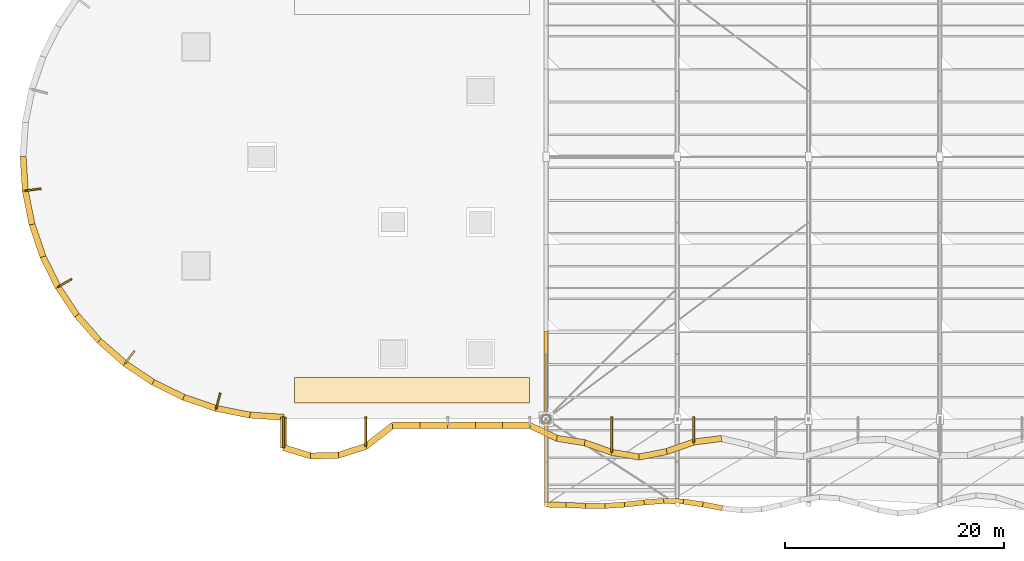
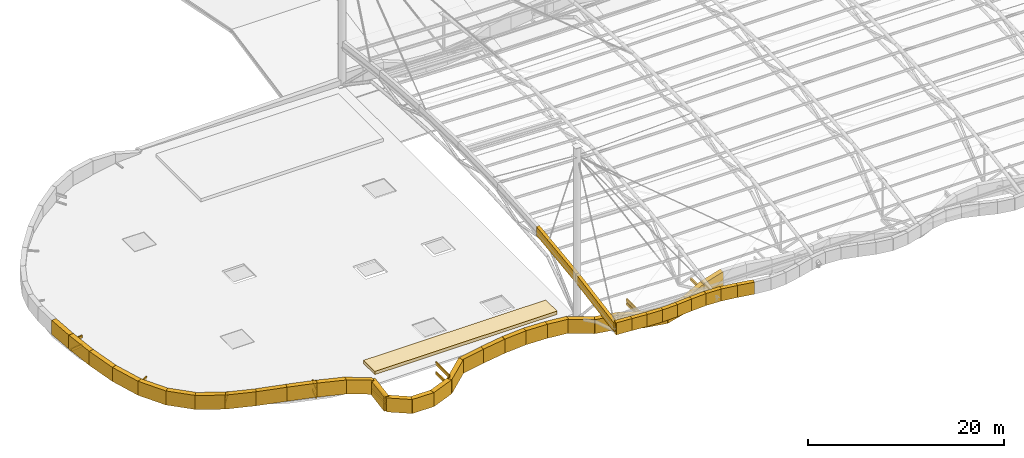
# One storey, part 23 of 29: 54 coverings.
"""IFC4 building model written with IfcOpenShell, lengths in metres."""

from ifc_helpers import new_model, si_unit, direction, frame, frame_2d, origin, place, context, subcontext, project, spatial, polyline, rectangle, outline, extrude, material, layer, layer_set, type_object, element, save


model = new_model("IFC4")

# Units and contexts
model_context = context("Model", 3, precision=1e-05, world=origin(), true_north=direction((0.0, 1.0)))
body_context = subcontext(model_context, "Body", "Model", "MODEL_VIEW")
ifc_project = project(units=[si_unit("LENGTHUNIT", "METRE"), si_unit("AREAUNIT", "SQUARE_METRE"), si_unit("VOLUMEUNIT", "CUBIC_METRE"), si_unit("PLANEANGLEUNIT", "RADIAN"), si_unit("MASSUNIT", "GRAM", prefix="KILO")], contexts=[model_context])

# Site, building, storey
site_placement = place(None, origin())
site = spatial("IfcSite", under=ifc_project, at=site_placement, CompositionType="ELEMENT")
building_placement = place(site_placement, origin())
building = spatial("IfcBuilding", under=site, at=building_placement, Name="Keelwater Ferry Terminal", CompositionType="ELEMENT")
storey_placement = place(building_placement, frame((0.0, 0.0, 27.89990234375)))
storey = spatial("IfcBuildingStorey", under=building, at=storey_placement, Name="RF", CompositionType="ELEMENT", Elevation=27.89990234375)

# Coverings
ifc_material_1 = material(Name="Planted sedum green roof substrate", Category="earth")
ifc_layer_1 = layer(ifc_material_1, 0.39990234375)
ifc_layer_set_1 = layer_set([ifc_layer_1], Name="Planted sedum green roof substrate")
covering_type_1 = type_object("IfcCoveringType", Name="GR-BED Planted Green Roof Bed", PredefinedType="ROOFING", material=ifc_layer_set_1)
covering_1_placement = place(storey_placement, frame((0.0, 0.0, -12.89990234375)))
element("IfcCovering", 1, at=covering_1_placement, inside=storey, type_object=covering_type_1, Name="Planted Green Roof Bed 1", PredefinedType="ROOFING", context=body_context, shape_type="SweptSolid", body=[
    extrude(outline(polyline([(25.0, 43.5), (46.5, 43.5), (46.5, 45.800048828125), (25.0, 45.800048828125), (25.0, 43.5)])), origin(), (0.0, 0.0, 1.0), 0.39990234375),
])
ifc_material_2 = material(Name="Matte white architectural aluminium fascia ribbon", Category="aluminium")
ifc_layer_2 = layer(ifc_material_2, 0.1201171875)
ifc_layer_set_2 = layer_set([ifc_layer_2], Name="Matte white architectural aluminium fascia ribbon")
covering_type_2 = type_object("IfcCoveringType", Name="RB-WHT Matte White Fascia Ribbon", PredefinedType="CLADDING", material=ifc_layer_set_2)
covering_2_placement = place(storey_placement, frame((0.177978515625, 66.02490234375, -12.726806640625), z_axis=(0.0, 0.0, 1.0), x_axis=(0.065705147067, -0.997839082041, 0.0)))
element("IfcCovering", 2, at=covering_2_placement, inside=storey, type_object=covering_type_2, Name="Overhanging Roof-Edge Wave Fascia Ribbon 238", PredefinedType="CLADDING", context=body_context, shape_type="SweptSolid", body=[
    extrude(outline(polyline([(0.0, 0.0068359375), (3.165771484375, 0.0), (3.165771484375, 1.75), (0.0, 1.7568359375), (0.0, 0.0068359375)])), frame((0.0, 0.280029296875, 0.0), z_axis=(0.0, -1.0, 0.0), x_axis=(1.0, 0.0, 0.0)), (0.0, 0.0, 1.0), 0.56005859375),
])
covering_3_placement = place(storey_placement, frame((0.37890625, 62.916015625, -13.0888671875), z_axis=(0.0, 0.0, 1.0), x_axis=(0.195196875454, -0.98076407959, 0.0)))
element("IfcCovering", 3, at=covering_3_placement, inside=storey, type_object=covering_type_2, Name="Overhanging Roof-Edge Wave Fascia Ribbon 242", PredefinedType="CLADDING", context=body_context, shape_type="SweptSolid", body=[
    extrude(outline(polyline([(0.0, 0.362060546875), (3.1669921875, 0.0), (3.1669921875, 1.75), (0.0, 2.112060546875), (0.0, 0.362060546875)])), frame((0.0, 0.280029296875, 0.0), z_axis=(0.0, -1.0, 0.0), x_axis=(1.0, 0.0, 0.0)), (0.0, 0.0, 1.0), 0.56005859375),
])
covering_4_placement = place(storey_placement, frame((0.384033203125, 62.89111328125, -11.991943359375), z_axis=(0.0, 0.0, 1.0), x_axis=(0.991476053756, 0.130289043397, 0.0)))
element("IfcCovering", 4, at=covering_4_placement, inside=storey, type_object=covering_type_2, Name="Ribbon Horizontal Tie Bracket 245", PredefinedType="CLADDING", context=body_context, shape_type="SweptSolid", body=[
    extrude(rectangle(XDim=1.450439453125, YDim=0.159912109375, at=frame_2d((0.72509765625, 0.0))), origin(), (0.0, 0.0, 1.0), 0.280029296875),
])
covering_5_placement = place(storey_placement, frame((0.384033203125, 62.89111328125, -13.119873046875), z_axis=(0.0, 0.0, 1.0), x_axis=(0.991476053756, 0.130289043397, 0.0)))
element("IfcCovering", 5, at=covering_5_placement, inside=storey, type_object=covering_type_2, Name="Ribbon Roof Eave Tie Bracket 248", PredefinedType="CLADDING", context=body_context, shape_type="SweptSolid", body=[
    extrude(rectangle(XDim=1.450439453125, YDim=0.159912109375, at=frame_2d((0.72509765625, 0.0))), origin(), (0.0, 0.0, 1.0), 0.340087890625),
])
covering_6_placement = place(storey_placement, frame((0.98388671875, 59.85888671875, -13.643798828125), z_axis=(0.0, 0.0, 1.0), x_axis=(0.321196336342, -0.94701262585, 0.0)))
element("IfcCovering", 6, at=covering_6_placement, inside=storey, type_object=covering_type_2, Name="Overhanging Roof-Edge Wave Fascia Ribbon 253", PredefinedType="CLADDING", context=body_context, shape_type="SweptSolid", body=[
    extrude(outline(polyline([(0.0, 0.554931640625), (3.16650390625, 0.0), (3.16650390625, 1.75), (0.0, 2.304931640625), (0.0, 0.554931640625)])), frame((0.0, 0.280029296875, 0.0), z_axis=(0.0, -1.0, 0.0), x_axis=(1.0, 0.0, 0.0)), (0.0, 0.0, 1.0), 0.56005859375),
])
covering_7_placement = place(storey_placement, frame((1.98193359375, 56.906005859375, -14.14697265625), z_axis=(0.0, 0.0, 1.0), x_axis=(0.442454846905, -0.896790782987, 0.0)))
element("IfcCovering", 7, at=covering_7_placement, inside=storey, type_object=covering_type_2, Name="Overhanging Roof-Edge Wave Fascia Ribbon 257", PredefinedType="CLADDING", context=body_context, shape_type="SweptSolid", body=[
    extrude(outline(polyline([(0.0, 0.503173828125), (3.16455078125, 0.0), (3.16455078125, 1.75), (0.0, 2.253173828125), (0.0, 0.503173828125)])), frame((0.0, 0.280029296875, 0.0), z_axis=(0.0, -1.0, 0.0), x_axis=(1.0, 0.0, 0.0)), (0.0, 0.0, 1.0), 0.56005859375),
])
covering_8_placement = place(storey_placement, frame((3.35693359375, 54.111083984375, -14.372802734375), z_axis=(0.0, 0.0, 1.0), x_axis=(0.55550058618, -0.831516144614, 0.0)))
element("IfcCovering", 8, at=covering_8_placement, inside=storey, type_object=covering_type_2, Name="Overhanging Roof-Edge Wave Fascia Ribbon 261", PredefinedType="CLADDING", context=body_context, shape_type="SweptSolid", body=[
    extrude(outline(polyline([(0.0, 0.225830078125), (3.16650390625, 0.0), (3.16650390625, 1.75), (0.0, 1.975830078125), (0.0, 0.225830078125)])), frame((0.0, 0.280029296875, 0.0), z_axis=(0.0, -1.0, 0.0), x_axis=(1.0, 0.0, 0.0)), (0.0, 0.0, 1.0), 0.56005859375),
])
covering_9_placement = place(storey_placement, frame((3.37109375, 54.090087890625, -13.119873046875), z_axis=(0.0, 0.0, 1.0), x_axis=(0.866090267075, 0.499887636653, 0.0)))
element("IfcCovering", 9, at=covering_9_placement, inside=storey, type_object=covering_type_2, Name="Ribbon Roof Eave Tie Bracket 267", PredefinedType="CLADDING", context=body_context, shape_type="SweptSolid", body=[
    extrude(rectangle(XDim=1.449951171875, YDim=0.159912109375, at=frame_2d((0.72509765625, 0.0))), origin(), (0.0, 0.0, 1.0), 0.340087890625),
])
covering_10_placement = place(storey_placement, frame((5.0859375, 51.51806640625, -14.372802734375), z_axis=(0.0, 0.0, 1.0), x_axis=(0.65931776004, -0.75186441018, 0.0)))
element("IfcCovering", 10, at=covering_10_placement, inside=storey, type_object=covering_type_2, Name="Overhanging Roof-Edge Wave Fascia Ribbon 272", PredefinedType="CLADDING", context=body_context, shape_type="SweptSolid", body=[
    extrude(outline(polyline([(0.0, 0.0), (3.16552734375, 0.15087890625), (3.16552734375, 1.90087890625), (0.0, 1.75), (0.0, 0.0)])), frame((0.0, 0.280029296875, 0.0), z_axis=(0.0, -1.0, 0.0), x_axis=(1.0, 0.0, 0.0)), (0.0, 0.0, 1.0), 0.56005859375),
])
covering_11_placement = place(storey_placement, frame((7.137939453125, 49.173095703125, -14.221923828125), z_axis=(0.0, 0.0, 1.0), x_axis=(0.75186441018, -0.65931776004, 0.0)))
element("IfcCovering", 11, at=covering_11_placement, inside=storey, type_object=covering_type_2, Name="Overhanging Roof-Edge Wave Fascia Ribbon 276", PredefinedType="CLADDING", context=body_context, shape_type="SweptSolid", body=[
    extrude(outline(polyline([(0.0, 0.0), (3.16552734375, 0.4609375), (3.16552734375, 2.2109375), (0.0, 1.75), (0.0, 0.0)])), frame((0.0, 0.280029296875, 0.0), z_axis=(0.0, -1.0, 0.0), x_axis=(1.0, 0.0, 0.0)), (0.0, 0.0, 1.0), 0.56005859375),
])
covering_12_placement = place(storey_placement, frame((9.47802734375, 47.115966796875, -13.760986328125), z_axis=(0.0, 0.0, 1.0), x_axis=(0.831516144614, -0.55550058618, 0.0)))
element("IfcCovering", 12, at=covering_12_placement, inside=storey, type_object=covering_type_2, Name="Overhanging Roof-Edge Wave Fascia Ribbon 280", PredefinedType="CLADDING", context=body_context, shape_type="SweptSolid", body=[
    extrude(outline(polyline([(0.0, 0.0), (3.16650390625, 0.565185546875), (3.16650390625, 2.315185546875), (0.0, 1.75), (0.0, 0.0)])), frame((0.0, 0.280029296875, 0.0), z_axis=(0.0, -1.0, 0.0), x_axis=(1.0, 0.0, 0.0)), (0.0, 0.0, 1.0), 0.56005859375),
])
covering_13_placement = place(storey_placement, frame((9.4990234375, 47.10205078125, -13.119873046875), z_axis=(0.0, 0.0, 1.0), x_axis=(0.609067672467, 0.793118257484, 0.0)))
element("IfcCovering", 13, at=covering_13_placement, inside=storey, type_object=covering_type_2, Name="Ribbon Roof Eave Tie Bracket 285", PredefinedType="CLADDING", context=body_context, shape_type="SweptSolid", body=[
    extrude(rectangle(XDim=1.449951171875, YDim=0.159912109375, at=frame_2d((0.72509765625, 0.0))), origin(), (0.0, 0.0, 1.0), 0.340087890625),
])
covering_14_placement = place(storey_placement, frame((12.068115234375, 45.382080078125, -13.19580078125), z_axis=(0.0, 0.0, 1.0), x_axis=(0.896790782987, -0.442454846905, 0.0)))
element("IfcCovering", 14, at=covering_14_placement, inside=storey, type_object=covering_type_2, Name="Overhanging Roof-Edge Wave Fascia Ribbon 290", PredefinedType="CLADDING", context=body_context, shape_type="SweptSolid", body=[
    extrude(outline(polyline([(0.0, 0.0), (3.16455078125, 0.419921875), (3.16455078125, 2.169921875), (0.0, 1.75), (0.0, 0.0)])), frame((0.0, 0.280029296875, 0.0), z_axis=(0.0, -1.0, 0.0), x_axis=(1.0, 0.0, 0.0)), (0.0, 0.0, 1.0), 0.56005859375),
])
covering_15_placement = place(storey_placement, frame((14.860107421875, 44.0009765625, -12.77587890625), z_axis=(0.0, 0.0, 1.0), x_axis=(0.94701262585, -0.321196336342, 0.0)))
element("IfcCovering", 15, at=covering_15_placement, inside=storey, type_object=covering_type_2, Name="Overhanging Roof-Edge Wave Fascia Ribbon 294", PredefinedType="CLADDING", context=body_context, shape_type="SweptSolid", body=[
    extrude(outline(polyline([(0.0, 0.0), (3.16650390625, 0.0859375), (3.16650390625, 1.8359375), (0.0, 1.75), (0.0, 0.0)])), frame((0.0, 0.280029296875, 0.0), z_axis=(0.0, -1.0, 0.0), x_axis=(1.0, 0.0, 0.0)), (0.0, 0.0, 1.0), 0.56005859375),
])
covering_16_placement = place(storey_placement, frame((17.81005859375, 42.9970703125, -13.0078125), z_axis=(0.0, 0.0, 1.0), x_axis=(0.98076407959, -0.195196875454, 0.0)))
element("IfcCovering", 16, at=covering_16_placement, inside=storey, type_object=covering_type_2, Name="Overhanging Roof-Edge Wave Fascia Ribbon 298", PredefinedType="CLADDING", context=body_context, shape_type="SweptSolid", body=[
    extrude(outline(polyline([(0.0, 0.31787109375), (3.1669921875, 0.0), (3.1669921875, 1.75), (0.0, 2.06787109375), (0.0, 0.31787109375)])), frame((0.0, 0.280029296875, 0.0), z_axis=(0.0, -1.0, 0.0), x_axis=(1.0, 0.0, 0.0)), (0.0, 0.0, 1.0), 0.56005859375),
])
covering_17_placement = place(storey_placement, frame((17.8349609375, 42.991943359375, -11.954833984375), z_axis=(0.0, 0.0, 1.0), x_axis=(0.258542567344, 0.965999865875, 0.0)))
element("IfcCovering", 17, at=covering_17_placement, inside=storey, type_object=covering_type_2, Name="Ribbon Horizontal Tie Bracket 302", PredefinedType="CLADDING", context=body_context, shape_type="SweptSolid", body=[
    extrude(rectangle(XDim=1.450439453125, YDim=0.159912109375, at=frame_2d((0.72509765625, 0.0))), origin(), (0.0, 0.0, 1.0), 0.280029296875),
])
covering_18_placement = place(storey_placement, frame((17.8349609375, 42.991943359375, -13.119873046875), z_axis=(0.0, 0.0, 1.0), x_axis=(0.258542567344, 0.965999865875, 0.0)))
element("IfcCovering", 18, at=covering_18_placement, inside=storey, type_object=covering_type_2, Name="Ribbon Roof Eave Tie Bracket 305", PredefinedType="CLADDING", context=body_context, shape_type="SweptSolid", body=[
    extrude(rectangle(XDim=1.450439453125, YDim=0.159912109375, at=frame_2d((0.72509765625, 0.0))), origin(), (0.0, 0.0, 1.0), 0.340087890625),
])
covering_19_placement = place(storey_placement, frame((20.865966796875, 42.385986328125, -14.02392578125), z_axis=(0.0, 0.0, 1.0), x_axis=(0.997839082041, -0.065705147067, 0.0)))
element("IfcCovering", 19, at=covering_19_placement, inside=storey, type_object=covering_type_2, Name="Overhanging Roof-Edge Wave Fascia Ribbon 310", PredefinedType="CLADDING", context=body_context, shape_type="SweptSolid", body=[
    extrude(outline(polyline([(0.0, 1.01611328125), (3.165771484375, 0.0), (3.165771484375, 1.75), (0.0, 2.76611328125), (0.0, 1.01611328125)])), frame((0.0, 0.280029296875, 0.0), z_axis=(0.0, -1.0, 0.0), x_axis=(1.0, 0.0, 0.0)), (0.0, 0.0, 1.0), 0.56005859375),
])
covering_20_placement = place(storey_placement, frame((24.0, 42.205078125, -14.511962890625), z_axis=(0.0, 0.0, 1.0), x_axis=(0.0, -1.0, 0.0)))
element("IfcCovering", 20, at=covering_20_placement, inside=storey, type_object=covering_type_2, Name="Overhanging Roof-Edge Wave Fascia Ribbon 314", PredefinedType="CLADDING", context=body_context, shape_type="SweptSolid", body=[
    extrude(outline(polyline([(0.0, 0.488037109375), (2.830078125, 0.0), (2.830078125, 1.75), (0.0, 2.238037109375), (0.0, 0.488037109375)])), frame((0.0, 0.280029296875, 0.0), z_axis=(0.0, -1.0, 0.0), x_axis=(1.0, 0.0, 0.0)), (0.0, 0.0, 1.0), 0.56005859375),
])
covering_21_placement = place(storey_placement, frame((23.97607421875, 39.406982421875, -15.140869140625), z_axis=(0.0, 0.0, 1.0), x_axis=(0.957441620539, -0.288626996763, 0.0)))
element("IfcCovering", 21, at=covering_21_placement, inside=storey, type_object=covering_type_2, Name="Overhanging Roof-Edge Wave Fascia Ribbon 317", PredefinedType="CLADDING", context=body_context, shape_type="SweptSolid", body=[
    extrude(outline(polyline([(0.0, 0.62890625), (2.6611328125, 0.0), (2.6611328125, 1.75), (0.0, 2.37890625), (0.0, 0.62890625)])), frame((0.0, 0.280029296875, 0.0), z_axis=(0.0, -1.0, 0.0), x_axis=(1.0, 0.0, 0.0)), (0.0, 0.0, 1.0), 0.56005859375),
])
covering_22_placement = place(storey_placement, frame((24.0, 39.39990234375, -13.77685546875), z_axis=(0.0, 0.0, 1.0), x_axis=(0.0, 1.0, 0.0)))
element("IfcCovering", 22, at=covering_22_placement, inside=storey, type_object=covering_type_2, Name="Ribbon Horizontal Tie Bracket 319", PredefinedType="CLADDING", context=body_context, shape_type="SweptSolid", body=[
    extrude(rectangle(XDim=2.85009765625, YDim=0.159912109375, at=frame_2d((1.425048828125, 0.0))), origin(), (0.0, 0.0, 1.0), 0.280029296875),
])
covering_23_placement = place(storey_placement, frame((24.0, 39.39990234375, -13.119873046875), z_axis=(0.0, 0.0, 1.0), x_axis=(0.0, 1.0, 0.0)))
element("IfcCovering", 23, at=covering_23_placement, inside=storey, type_object=covering_type_2, Name="Ribbon Roof Eave Tie Bracket 322", PredefinedType="CLADDING", context=body_context, shape_type="SweptSolid", body=[
    extrude(rectangle(XDim=2.85009765625, YDim=0.159912109375, at=frame_2d((1.425048828125, 0.0))), origin(), (0.0, 0.0, 1.0), 0.340087890625),
])
covering_24_placement = place(storey_placement, frame((26.47509765625, 38.64501953125, -15.218017578125), z_axis=(0.0, 0.0, 1.0), x_axis=(0.99972271535, 0.023547662579, 0.0)))
element("IfcCovering", 24, at=covering_24_placement, inside=storey, type_object=covering_type_2, Name="Overhanging Roof-Edge Wave Fascia Ribbon 326", PredefinedType="CLADDING", context=body_context, shape_type="SweptSolid", body=[
    extrude(outline(polyline([(0.0, 0.0771484375), (2.550537109375, 0.0), (2.550537109375, 1.75), (0.0, 1.8271484375), (0.0, 0.0771484375)])), frame((0.0, 0.280029296875, 0.0), z_axis=(0.0, -1.0, 0.0), x_axis=(1.0, 0.0, 0.0)), (0.0, 0.0, 1.0), 0.56005859375),
])
covering_25_placement = place(storey_placement, frame((28.97607421875, 38.696044921875, -15.218017578125), z_axis=(0.0, 0.0, 1.0), x_axis=(0.951587367147, 0.30737840309, 0.0)))
element("IfcCovering", 25, at=covering_25_placement, inside=storey, type_object=covering_type_2, Name="Overhanging Roof-Edge Wave Fascia Ribbon 329", PredefinedType="CLADDING", context=body_context, shape_type="SweptSolid", body=[
    extrude(outline(polyline([(0.0, 0.0), (2.677490234375, 0.193115234375), (2.677490234375, 1.943115234375), (0.0, 1.75), (0.0, 0.0)])), frame((0.0, 0.280029296875, 0.0), z_axis=(0.0, -1.0, 0.0), x_axis=(1.0, 0.0, 0.0)), (0.0, 0.0, 1.0), 0.56005859375),
])
covering_26_placement = place(storey_placement, frame((31.47998046875, 39.49609375, -15.02490234375), z_axis=(0.0, 0.0, 1.0), x_axis=(0.790345162322, 0.612661835268, 0.0)))
element("IfcCovering", 26, at=covering_26_placement, inside=storey, type_object=covering_type_2, Name="Overhanging Roof-Edge Wave Fascia Ribbon 331", PredefinedType="CLADDING", context=body_context, shape_type="SweptSolid", body=[
    extrude(outline(polyline([(0.0, 0.0), (3.2138671875, 0.4970703125), (3.2138671875, 2.2470703125), (0.0, 1.75), (0.0, 0.0)])), frame((0.0, 0.280029296875, 0.0), z_axis=(0.0, -1.0, 0.0), x_axis=(1.0, 0.0, 0.0)), (0.0, 0.0, 1.0), 0.56005859375),
])
covering_27_placement = place(storey_placement, frame((31.5, 39.510986328125, -14.289794921875), z_axis=(0.0, 0.0, 1.0), x_axis=(0.0, 1.0, 0.0)))
element("IfcCovering", 27, at=covering_27_placement, inside=storey, type_object=covering_type_2, Name="Ribbon Horizontal Tie Bracket 333", PredefinedType="CLADDING", context=body_context, shape_type="SweptSolid", body=[
    extrude(rectangle(XDim=2.739013671875, YDim=0.159912109375, at=frame_2d((1.36962890625, 0.0))), origin(), (0.0, 0.0, 1.0), 0.27978515625),
])
covering_28_placement = place(storey_placement, frame((31.5, 39.510986328125, -13.119873046875), z_axis=(0.0, 0.0, 1.0), x_axis=(0.0, 1.0, 0.0)))
element("IfcCovering", 28, at=covering_28_placement, inside=storey, type_object=covering_type_2, Name="Ribbon Roof Eave Tie Bracket 335", PredefinedType="CLADDING", context=body_context, shape_type="SweptSolid", body=[
    extrude(rectangle(XDim=2.739013671875, YDim=0.159912109375, at=frame_2d((1.36962890625, 0.0))), origin(), (0.0, 0.0, 1.0), 0.340087890625),
])
covering_29_placement = place(storey_placement, frame((33.97509765625, 41.449951171875, -14.52783203125), z_axis=(0.0, 0.0, 1.0), x_axis=(1.0, 0.0, 0.0)))
element("IfcCovering", 29, at=covering_29_placement, inside=storey, type_object=covering_type_2, Name="Overhanging Roof-Edge Wave Fascia Ribbon 338", PredefinedType="CLADDING", context=body_context, shape_type="SweptSolid", body=[
    extrude(outline(polyline([(0.0, 0.0), (2.5498046875, 0.455810546875), (2.5498046875, 2.205810546875), (0.0, 1.75), (0.0, 0.0)])), frame((0.0, 0.280029296875, 0.0), z_axis=(0.0, -1.0, 0.0), x_axis=(1.0, 0.0, 0.0)), (0.0, 0.0, 1.0), 0.56005859375),
])
covering_30_placement = place(storey_placement, frame((36.47509765625, 41.449951171875, -14.072021484375), z_axis=(0.0, 0.0, 1.0), x_axis=(1.0, 0.0, 0.0)))
element("IfcCovering", 30, at=covering_30_placement, inside=storey, type_object=covering_type_2, Name="Overhanging Roof-Edge Wave Fascia Ribbon 340", PredefinedType="CLADDING", context=body_context, shape_type="SweptSolid", body=[
    extrude(outline(polyline([(0.0, 0.0), (2.5498046875, 0.3681640625), (2.5498046875, 2.1181640625), (0.0, 1.75), (0.0, 0.0)])), frame((0.0, 0.280029296875, 0.0), z_axis=(0.0, -1.0, 0.0), x_axis=(1.0, 0.0, 0.0)), (0.0, 0.0, 1.0), 0.56005859375),
])
covering_31_placement = place(storey_placement, frame((38.97509765625, 41.449951171875, -13.703857421875), z_axis=(0.0, 0.0, 1.0), x_axis=(1.0, 0.0, 0.0)))
element("IfcCovering", 31, at=covering_31_placement, inside=storey, type_object=covering_type_2, Name="Overhanging Roof-Edge Wave Fascia Ribbon 342", PredefinedType="CLADDING", context=body_context, shape_type="SweptSolid", body=[
    extrude(outline(polyline([(0.0, 0.0), (2.5498046875, 0.1728515625), (2.5498046875, 1.9228515625), (0.0, 1.75), (0.0, 0.0)])), frame((0.0, 0.280029296875, 0.0), z_axis=(0.0, -1.0, 0.0), x_axis=(1.0, 0.0, 0.0)), (0.0, 0.0, 1.0), 0.56005859375),
])
covering_32_placement = place(storey_placement, frame((41.47509765625, 41.449951171875, -13.601806640625), z_axis=(0.0, 0.0, 1.0), x_axis=(1.0, 0.0, 0.0)))
element("IfcCovering", 32, at=covering_32_placement, inside=storey, type_object=covering_type_2, Name="Overhanging Roof-Edge Wave Fascia Ribbon 347", PredefinedType="CLADDING", context=body_context, shape_type="SweptSolid", body=[
    extrude(outline(polyline([(0.0, 0.07080078125), (2.5498046875, 0.0), (2.5498046875, 1.75), (0.0, 1.82080078125), (0.0, 0.07080078125)])), frame((0.0, 0.280029296875, 0.0), z_axis=(0.0, -1.0, 0.0), x_axis=(1.0, 0.0, 0.0)), (0.0, 0.0, 1.0), 0.56005859375),
])
covering_33_placement = place(storey_placement, frame((43.97509765625, 41.449951171875, -13.8408203125), z_axis=(0.0, 0.0, 1.0), x_axis=(1.0, 0.0, 0.0)))
element("IfcCovering", 33, at=covering_33_placement, inside=storey, type_object=covering_type_2, Name="Overhanging Roof-Edge Wave Fascia Ribbon 348", PredefinedType="CLADDING", context=body_context, shape_type="SweptSolid", body=[
    extrude(outline(polyline([(0.0, 0.239013671875), (2.5498046875, 0.0), (2.5498046875, 1.75), (0.0, 1.989013671875), (0.0, 0.239013671875)])), frame((0.0, 0.280029296875, 0.0), z_axis=(0.0, -1.0, 0.0), x_axis=(1.0, 0.0, 0.0)), (0.0, 0.0, 1.0), 0.56005859375),
])
covering_34_placement = place(storey_placement, frame((46.47705078125, 41.4609375, -14.031982421875), z_axis=(0.0, 0.0, 1.0), x_axis=(0.901132982722, -0.433542786183, 0.0)))
element("IfcCovering", 34, at=covering_34_placement, inside=storey, type_object=covering_type_2, Name="Overhanging Roof-Edge Wave Fascia Ribbon 350", PredefinedType="CLADDING", context=body_context, shape_type="SweptSolid", body=[
    extrude(outline(polyline([(0.0, 0.191162109375), (2.8251953125, 0.0), (2.8251953125, 1.75), (0.0, 1.941162109375), (0.0, 0.191162109375)])), frame((0.0, 0.280029296875, 0.0), z_axis=(0.0, -1.0, 0.0), x_axis=(1.0, 0.0, 0.0)), (0.0, 0.0, 1.0), 0.56005859375),
])
covering_35_placement = place(storey_placement, frame((48.97509765625, 40.2509765625, -14.1298828125), z_axis=(0.0, 0.0, 1.0), x_axis=(0.98803907392, -0.154203723716, 0.0)))
element("IfcCovering", 35, at=covering_35_placement, inside=storey, type_object=covering_type_2, Name="Overhanging Roof-Edge Wave Fascia Ribbon 357", PredefinedType="CLADDING", context=body_context, shape_type="SweptSolid", body=[
    extrude(outline(polyline([(0.0, 0.097900390625), (2.58056640625, 0.0), (2.58056640625, 1.75), (0.0, 1.847900390625), (0.0, 0.097900390625)])), frame((0.0, 0.280029296875, 0.0), z_axis=(0.0, -1.0, 0.0), x_axis=(1.0, 0.0, 0.0)), (0.0, 0.0, 1.0), 0.56005859375),
])
covering_36_placement = place(storey_placement, frame((51.47607421875, 39.864990234375, -14.296875), z_axis=(0.0, 0.0, 1.0), x_axis=(0.943140397059, -0.33239463208, 0.0)))
element("IfcCovering", 36, at=covering_36_placement, inside=storey, type_object=covering_type_2, Name="Overhanging Roof-Edge Wave Fascia Ribbon 360", PredefinedType="CLADDING", context=body_context, shape_type="SweptSolid", body=[
    extrude(outline(polyline([(0.0, 0.1669921875), (2.701416015625, 0.0), (2.701416015625, 1.75), (0.0, 1.9169921875), (0.0, 0.1669921875)])), frame((0.0, 0.280029296875, 0.0), z_axis=(0.0, -1.0, 0.0), x_axis=(1.0, 0.0, 0.0)), (0.0, 0.0, 1.0), 0.56005859375),
])
covering_37_placement = place(storey_placement, frame((53.97509765625, 38.97900390625, -14.368896484375), z_axis=(0.0, 0.0, 1.0), x_axis=(0.985956741922, -0.167000907359, 0.0)))
element("IfcCovering", 37, at=covering_37_placement, inside=storey, type_object=covering_type_2, Name="Overhanging Roof-Edge Wave Fascia Ribbon 364", PredefinedType="CLADDING", context=body_context, shape_type="SweptSolid", body=[
    extrude(outline(polyline([(0.0, 0.072021484375), (2.586181640625, 0.0), (2.586181640625, 1.75), (0.0, 1.822021484375), (0.0, 0.072021484375)])), frame((0.0, 0.280029296875, 0.0), z_axis=(0.0, -1.0, 0.0), x_axis=(1.0, 0.0, 0.0)), (0.0, 0.0, 1.0), 0.56005859375),
])
covering_38_placement = place(storey_placement, frame((54.0, 38.97509765625, -13.56201171875), z_axis=(0.0, 0.0, 1.0), x_axis=(0.0, 1.0, 0.0)))
element("IfcCovering", 38, at=covering_38_placement, inside=storey, type_object=covering_type_2, Name="Ribbon Horizontal Tie Bracket 368", PredefinedType="CLADDING", context=body_context, shape_type="SweptSolid", body=[
    extrude(rectangle(XDim=3.27490234375, YDim=0.159912109375, at=frame_2d((1.637451171875, 0.0))), origin(), (0.0, 0.0, 1.0), 0.280029296875),
])
covering_39_placement = place(storey_placement, frame((54.0, 38.97509765625, -13.119873046875), z_axis=(0.0, 0.0, 1.0), x_axis=(0.0, 1.0, 0.0)))
element("IfcCovering", 39, at=covering_39_placement, inside=storey, type_object=covering_type_2, Name="Ribbon Roof Eave Tie Bracket 371", PredefinedType="CLADDING", context=body_context, shape_type="SweptSolid", body=[
    extrude(rectangle(XDim=3.27490234375, YDim=0.159912109375, at=frame_2d((1.637451171875, 0.0))), origin(), (0.0, 0.0, 1.0), 0.340087890625),
])
covering_40_placement = place(storey_placement, frame((56.47509765625, 38.5458984375, -14.368896484375), z_axis=(0.0, 0.0, 1.0), x_axis=(0.981310966626, 0.192428653739, 0.0)))
element("IfcCovering", 40, at=covering_40_placement, inside=storey, type_object=covering_type_2, Name="Overhanging Roof-Edge Wave Fascia Ribbon 376", PredefinedType="CLADDING", context=body_context, shape_type="SweptSolid", body=[
    extrude(outline(polyline([(0.0, 0.0), (2.598388671875, 0.181884765625), (2.598388671875, 1.931884765625), (0.0, 1.75), (0.0, 0.0)])), frame((0.0, 0.280029296875, 0.0), z_axis=(0.0, -1.0, 0.0), x_axis=(1.0, 0.0, 0.0)), (0.0, 0.0, 1.0), 0.56005859375),
])
covering_41_placement = place(storey_placement, frame((58.97607421875, 39.032958984375, -14.18701171875), z_axis=(0.0, 0.0, 1.0), x_axis=(0.943818870792, 0.330463219037, 0.0)))
element("IfcCovering", 41, at=covering_41_placement, inside=storey, type_object=covering_type_2, Name="Overhanging Roof-Edge Wave Fascia Ribbon 380", PredefinedType="CLADDING", context=body_context, shape_type="SweptSolid", body=[
    extrude(outline(polyline([(0.0, 0.0), (2.699462890625, 0.399169921875), (2.699462890625, 2.149169921875), (0.0, 1.75), (0.0, 0.0)])), frame((0.0, 0.280029296875, 0.0), z_axis=(0.0, -1.0, 0.0), x_axis=(1.0, 0.0, 0.0)), (0.0, 0.0, 1.0), 0.56005859375),
])
covering_42_placement = place(storey_placement, frame((61.47509765625, 39.9140625, -13.787841796875), z_axis=(0.0, 0.0, 1.0), x_axis=(0.991929206026, 0.126792942363, 0.0)))
element("IfcCovering", 42, at=covering_42_placement, inside=storey, type_object=covering_type_2, Name="Overhanging Roof-Edge Wave Fascia Ribbon 382", PredefinedType="CLADDING", context=body_context, shape_type="SweptSolid", body=[
    extrude(outline(polyline([(0.0, 0.0), (2.570556640625, 0.4609375), (2.570556640625, 2.2109375), (0.0, 1.75), (0.0, 0.0)])), frame((0.0, 0.280029296875, 0.0), z_axis=(0.0, -1.0, 0.0), x_axis=(1.0, 0.0, 0.0)), (0.0, 0.0, 1.0), 0.56005859375),
])
covering_43_placement = place(storey_placement, frame((61.5, 39.9169921875, -13.119873046875), z_axis=(0.0, 0.0, 1.0), x_axis=(0.0, 1.0, 0.0)))
element("IfcCovering", 43, at=covering_43_placement, inside=storey, type_object=covering_type_2, Name="Ribbon Roof Eave Tie Bracket 387", PredefinedType="CLADDING", context=body_context, shape_type="SweptSolid", body=[
    extrude(rectangle(XDim=2.3330078125, YDim=0.159912109375, at=frame_2d((1.16650390625, 0.0))), origin(), (0.0, 0.0, 1.0), 0.340087890625),
])
covering_44_placement = place(storey_placement, frame((47.97509765625, 34.200927734375, -10.27392578125), z_axis=(0.0, 0.0, 1.0), x_axis=(0.999738808435, -0.022854209869, 0.0)))
element("IfcCovering", 44, at=covering_44_placement, inside=storey, type_object=covering_type_2, Name="Concourse Saddle Overhanging Wave Eave Ribbon 771", PredefinedType="CLADDING", context=body_context, shape_type="SweptSolid", body=[
    extrude(outline(polyline([(0.0, 0.075927734375), (1.83740234375, 0.0), (1.83740234375, 1.5), (0.0, 1.575927734375), (0.0, 0.075927734375)])), frame((0.0, 0.239990234375, 0.0), z_axis=(0.0, -1.0, 0.0), x_axis=(1.0, 0.0, 0.0)), (0.0, 0.0, 1.0), 0.47998046875),
])
covering_45_placement = place(storey_placement, frame((49.761962890625, 34.160888671875, -10.33984375), z_axis=(0.0, 0.0, 1.0), x_axis=(0.99916882586, -0.040763432497, 0.0)))
element("IfcCovering", 45, at=covering_45_placement, inside=storey, type_object=covering_type_2, Name="Concourse Saddle Overhanging Wave Eave Ribbon 772", PredefinedType="CLADDING", context=body_context, shape_type="SweptSolid", body=[
    extrude(outline(polyline([(0.0, 0.06591796875), (1.838623046875, 0.0), (1.838623046875, 1.5), (0.0, 1.56591796875), (0.0, 0.06591796875)])), frame((0.0, 0.239990234375, 0.0), z_axis=(0.0, -1.0, 0.0), x_axis=(1.0, 0.0, 0.0)), (0.0, 0.0, 1.0), 0.47998046875),
])
covering_46_placement = place(storey_placement, frame((51.549072265625, 34.0869140625, -10.39697265625), z_axis=(0.0, 0.0, 1.0), x_axis=(0.999987921685, -0.004914924695, 0.0)))
element("IfcCovering", 46, at=covering_46_placement, inside=storey, type_object=covering_type_2, Name="Concourse Saddle Overhanging Wave Eave Ribbon 773", PredefinedType="CLADDING", context=body_context, shape_type="SweptSolid", body=[
    extrude(outline(polyline([(0.0, 0.05712890625), (1.837890625, 0.0), (1.837890625, 1.5), (0.0, 1.55712890625), (0.0, 0.05712890625)])), frame((0.0, 0.239990234375, 0.0), z_axis=(0.0, -1.0, 0.0), x_axis=(1.0, 0.0, 0.0)), (0.0, 0.0, 1.0), 0.47998046875),
])
covering_47_placement = place(storey_placement, frame((53.3369140625, 34.075927734375, -10.44482421875), z_axis=(0.0, 0.0, 1.0), x_axis=(0.997834750085, 0.0657709018, 0.0)))
element("IfcCovering", 47, at=covering_47_placement, inside=storey, type_object=covering_type_2, Name="Concourse Saddle Overhanging Wave Eave Ribbon 774", PredefinedType="CLADDING", context=body_context, shape_type="SweptSolid", body=[
    extrude(outline(polyline([(0.0, 0.0478515625), (1.841064453125, 0.0), (1.841064453125, 1.5), (0.0, 1.5478515625), (0.0, 0.0478515625)])), frame((0.0, 0.239990234375, 0.0), z_axis=(0.0, -1.0, 0.0), x_axis=(1.0, 0.0, 0.0)), (0.0, 0.0, 1.0), 0.47998046875),
])
covering_48_placement = place(storey_placement, frame((55.1240234375, 34.19189453125, -10.48388671875), z_axis=(0.0, 0.0, 1.0), x_axis=(0.993941593969, 0.109909543618, 0.0)))
element("IfcCovering", 48, at=covering_48_placement, inside=storey, type_object=covering_type_2, Name="Concourse Saddle Overhanging Wave Eave Ribbon 775", PredefinedType="CLADDING", context=body_context, shape_type="SweptSolid", body=[
    extrude(outline(polyline([(0.0, 0.0390625), (1.84814453125, 0.0), (1.84814453125, 1.5), (0.0, 1.5390625), (0.0, 0.0390625)])), frame((0.0, 0.239990234375, 0.0), z_axis=(0.0, -1.0, 0.0), x_axis=(1.0, 0.0, 0.0)), (0.0, 0.0, 1.0), 0.47998046875),
])
covering_49_placement = place(storey_placement, frame((56.910888671875, 34.389892578125, -10.513916015625), z_axis=(0.0, 0.0, 1.0), x_axis=(0.99694040245, 0.078165426903, 0.0)))
element("IfcCovering", 49, at=covering_49_placement, inside=storey, type_object=covering_type_2, Name="Concourse Saddle Overhanging Wave Eave Ribbon 776", PredefinedType="CLADDING", context=body_context, shape_type="SweptSolid", body=[
    extrude(outline(polyline([(0.0, 0.030029296875), (1.8427734375, 0.0), (1.8427734375, 1.5), (0.0, 1.530029296875), (0.0, 0.030029296875)])), frame((0.0, 0.239990234375, 0.0), z_axis=(0.0, -1.0, 0.0), x_axis=(1.0, 0.0, 0.0)), (0.0, 0.0, 1.0), 0.47998046875),
])
covering_50_placement = place(storey_placement, frame((58.697998046875, 34.532958984375, -10.536865234375), z_axis=(0.0, 0.0, 1.0), x_axis=(0.999584797743, -0.028813748819, 0.0)))
element("IfcCovering", 50, at=covering_50_placement, inside=storey, type_object=covering_type_2, Name="Concourse Saddle Overhanging Wave Eave Ribbon 777", PredefinedType="CLADDING", context=body_context, shape_type="SweptSolid", body=[
    extrude(outline(polyline([(0.0, 0.02294921875), (1.838623046875, 0.0), (1.838623046875, 1.5), (0.0, 1.52294921875), (0.0, 0.02294921875)])), frame((0.0, 0.239990234375, 0.0), z_axis=(0.0, -1.0, 0.0), x_axis=(1.0, 0.0, 0.0)), (0.0, 0.0, 1.0), 0.47998046875),
])
covering_51_placement = place(storey_placement, frame((60.486083984375, 34.485107421875, -10.552978515625), z_axis=(0.0, 0.0, 1.0), x_axis=(0.989368040874, -0.14543342015, 0.0)))
element("IfcCovering", 51, at=covering_51_placement, inside=storey, type_object=covering_type_2, Name="Concourse Saddle Overhanging Wave Eave Ribbon 778", PredefinedType="CLADDING", context=body_context, shape_type="SweptSolid", body=[
    extrude(outline(polyline([(0.0, 0.01611328125), (1.856689453125, 0.0), (1.856689453125, 1.5), (0.0, 1.51611328125), (0.0, 0.01611328125)])), frame((0.0, 0.239990234375, 0.0), z_axis=(0.0, -1.0, 0.0), x_axis=(1.0, 0.0, 0.0)), (0.0, 0.0, 1.0), 0.47998046875),
])
covering_52_placement = place(storey_placement, frame((62.27294921875, 34.22412109375, -10.56201171875), z_axis=(0.0, 0.0, 1.0), x_axis=(0.982130048891, -0.188203525648, 0.0)))
element("IfcCovering", 52, at=covering_52_placement, inside=storey, type_object=covering_type_2, Name="Concourse Saddle Overhanging Wave Eave Ribbon 779", PredefinedType="CLADDING", context=body_context, shape_type="SweptSolid", body=[
    extrude(outline(polyline([(0.0, 0.009033203125), (1.87060546875, 0.0), (1.87060546875, 1.5), (0.0, 1.509033203125), (0.0, 0.009033203125)])), frame((0.0, 0.239990234375, 0.0), z_axis=(0.0, -1.0, 0.0), x_axis=(1.0, 0.0, 0.0)), (0.0, 0.0, 1.0), 0.47998046875),
])
covering_53_placement = place(storey_placement, frame((48.0, 34.175048828125, -9.89794921875), z_axis=(0.0, 0.0, 1.0), x_axis=(0.0, 1.0, 0.0)))
element("IfcCovering", 53, at=covering_53_placement, inside=storey, type_object=covering_type_2, Name="Concourse Saddle Arch Verge Ribbon 818", PredefinedType="CLADDING", context=body_context, shape_type="SweptSolid", body=[
    extrude(outline(polyline([(0.0, 0.0), (7.849853515625, 1.39794921875), (7.849853515625, 2.498046875), (0.0, 1.10009765625), (0.0, 0.0)])), frame((0.0, 0.18994140625, 0.0), z_axis=(0.0, -1.0, 0.0), x_axis=(1.0, 0.0, 0.0)), (0.0, 0.0, 1.0), 0.3798828125),
])
covering_54_placement = place(storey_placement, frame((48.0, 41.97509765625, -8.5), z_axis=(0.0, 0.0, 1.0), x_axis=(0.0, 1.0, 0.0)))
element("IfcCovering", 54, at=covering_54_placement, inside=storey, type_object=covering_type_2, Name="Concourse Saddle Arch Verge Ribbon 819", PredefinedType="CLADDING", context=body_context, shape_type="SweptSolid", body=[
    extrude(outline(polyline([(0.0, 0.0), (8.0498046875, 1.028076171875), (8.0498046875, 2.128173828125), (0.0, 1.10009765625), (0.0, 0.0)])), frame((0.0, 0.18994140625, 0.0), z_axis=(0.0, -1.0, 0.0), x_axis=(1.0, 0.0, 0.0)), (0.0, 0.0, 1.0), 0.3798828125),
])

save(model, "model.ifc")
